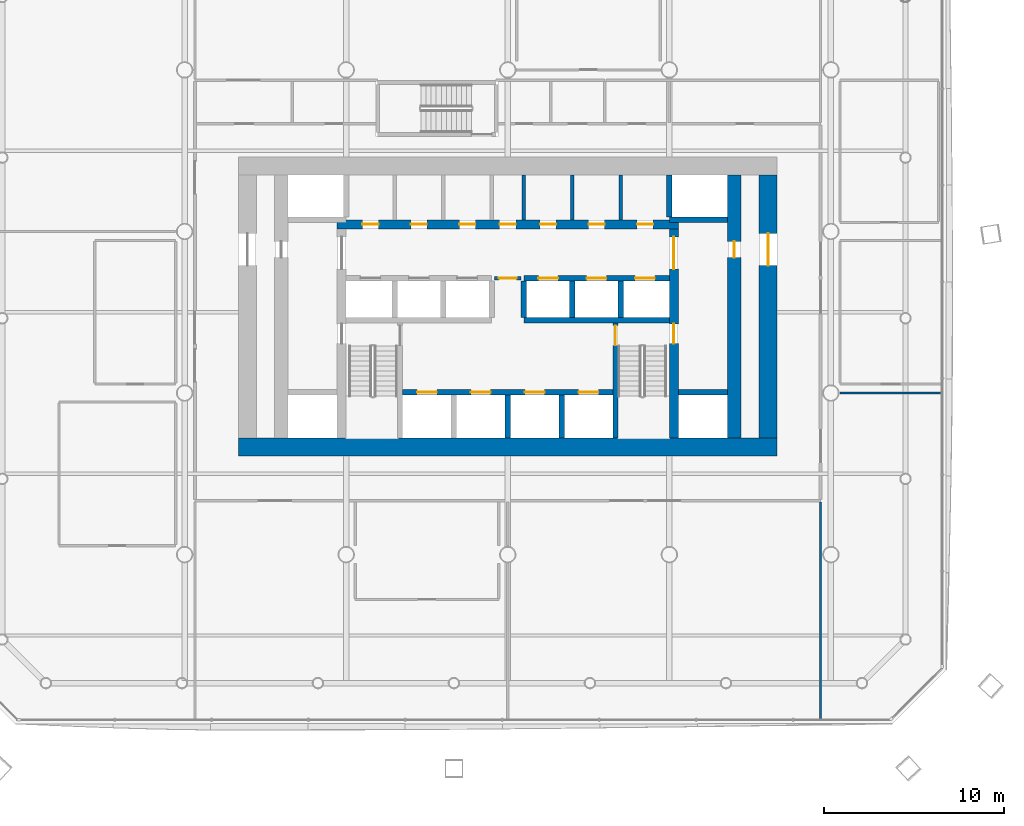
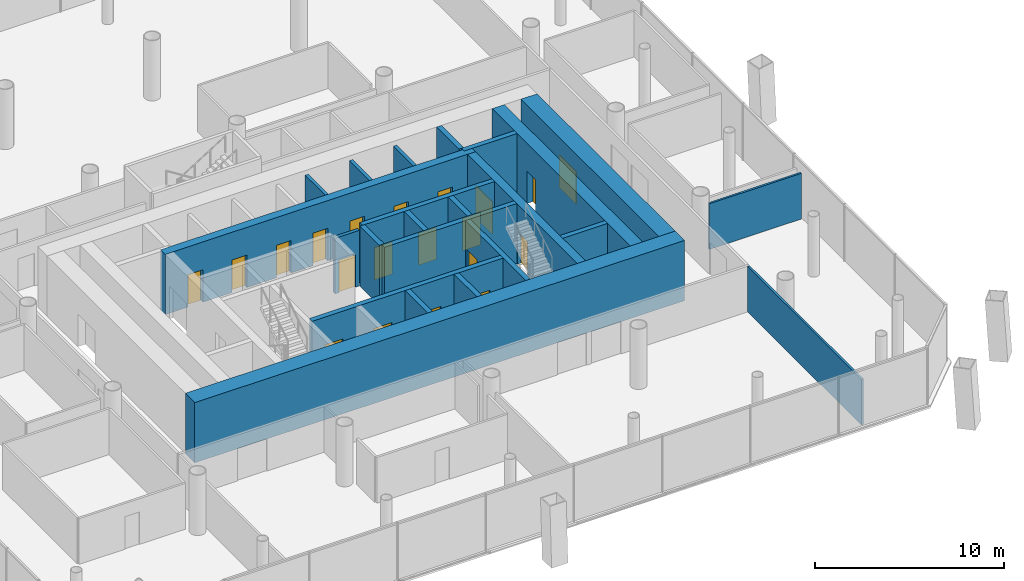
# One storey, part 15 of 22: 23 walls, 20 doors, 20 openings.
"""IFC4 building model written with IfcOpenShell, lengths in metres."""

from ifc_helpers import new_model, si_unit, direction, frame, frame_2d, origin, place, context, subcontext, project, spatial, rectangle, extrude, material, layer, layer_set, type_object, element, fill, save


model = new_model("IFC4")

# Units and contexts
model_context = context("Model", 3, precision=1e-05, world=origin(), true_north=direction((0.0, 1.0)))
body_context = subcontext(model_context, "Body", "Model", "MODEL_VIEW")
ifc_project = project(units=[si_unit("LENGTHUNIT", "METRE"), si_unit("AREAUNIT", "SQUARE_METRE"), si_unit("VOLUMEUNIT", "CUBIC_METRE"), si_unit("PLANEANGLEUNIT", "RADIAN"), si_unit("MASSUNIT", "GRAM", prefix="KILO")], contexts=[model_context])

# Site, building, storey
site_placement = place(None, origin())
site = spatial("IfcSite", under=ifc_project, at=site_placement, CompositionType="ELEMENT")
building_placement = place(site_placement, origin())
building = spatial("IfcBuilding", under=site, at=building_placement, Name="Tskaro Facet Tower", CompositionType="ELEMENT")
storey_placement = place(building_placement, frame((0.0, 0.0, 30.300048828125)))
storey = spatial("IfcBuildingStorey", under=building, at=storey_placement, Name="L06", CompositionType="ELEMENT", Elevation=30.300048828125)

# Wall, openings, doors
ifc_material_1 = material(Name="Concrete C60/75", Category="concrete")
ifc_layer_1 = layer(ifc_material_1, 0.300048828125, Name="Concrete C60/75")
ifc_layer_set_1 = layer_set([ifc_layer_1], Name="Concrete C60/75")
wall_type_1 = type_object("IfcWallType", Name="CORE-SHAFT", PredefinedType="SHEAR", material=ifc_layer_set_1)
wall_1_placement = place(storey_placement, frame((-5.85009765625, -8.949951171875, 0.0), z_axis=(0.0, 0.0, 1.0), x_axis=(1.0, 0.0, 0.0)))
wall_1 = element("IfcWall", 1, at=wall_1_placement, inside=storey, type_object=wall_type_1, Name="Shaft wall W007", PredefinedType="SHEAR", context=body_context, shape_type="SweptSolid", body=[
    extrude(rectangle(XDim=11.7001953125, YDim=0.300048828125, at=frame_2d((5.85009765625, 0.0))), origin(), (0.0, 0.0, 1.0), 3.89990234375),
])
opening_1_placement = place(wall_1_placement, frame((0.800048828125, 0.0, 0.0)))
opening_1 = element("IfcOpeningElement", 2, at=opening_1_placement, cuts=wall_1, Name="Opening LD-FF1", PredefinedType="OPENING", context=body_context, shape_type="SweptSolid", body=[
    extrude(rectangle(XDim=1.10009765625, YDim=2.10009765625, at=frame_2d((0.550048828125, 1.050048828125))), frame((0.0, 0.159912109375, 0.0), z_axis=(0.0, -1.0, 0.0), x_axis=(1.0, 0.0, 0.0)), (0.0, 0.0, 1.0), 0.320068359375),
])
opening_2_placement = place(wall_1_placement, frame((3.800048828125, 0.0, 0.0)))
opening_2 = element("IfcOpeningElement", 3, at=opening_2_placement, cuts=wall_1, Name="Opening LD-FF2", PredefinedType="OPENING", context=body_context, shape_type="SweptSolid", body=[
    extrude(rectangle(XDim=1.10009765625, YDim=2.10009765625, at=frame_2d((0.550048828125, 1.050048828125))), frame((0.0, 0.159912109375, 0.0), z_axis=(0.0, -1.0, 0.0), x_axis=(1.0, 0.0, 0.0)), (0.0, 0.0, 1.0), 0.320068359375),
])
opening_3_placement = place(wall_1_placement, frame((6.800048828125, 0.0, 0.0)))
opening_3 = element("IfcOpeningElement", 4, at=opening_3_placement, cuts=wall_1, Name="Opening LD-SV1", PredefinedType="OPENING", context=body_context, shape_type="SweptSolid", body=[
    extrude(rectangle(XDim=1.10009765625, YDim=2.10009765625, at=frame_2d((0.550048828125, 1.050048828125))), frame((0.0, 0.159912109375, 0.0), z_axis=(0.0, -1.0, 0.0), x_axis=(1.0, 0.0, 0.0)), (0.0, 0.0, 1.0), 0.320068359375),
])
opening_4_placement = place(wall_1_placement, frame((9.800048828125, 0.0, 0.0)))
opening_4 = element("IfcOpeningElement", 5, at=opening_4_placement, cuts=wall_1, Name="Opening LD-SV2", PredefinedType="OPENING", context=body_context, shape_type="SweptSolid", body=[
    extrude(rectangle(XDim=1.10009765625, YDim=2.10009765625, at=frame_2d((0.550048828125, 1.050048828125))), frame((0.0, 0.159912109375, 0.0), z_axis=(0.0, -1.0, 0.0), x_axis=(1.0, 0.0, 0.0)), (0.0, 0.0, 1.0), 0.320068359375),
])
ifc_material_2 = material(Name="Stainless steel", Category="steel")
door_type_1 = type_object("IfcDoorType", Name="D-LANDING", OperationType="NOTDEFINED", PredefinedType="DOOR", material=ifc_material_2)
door_1_placement = place(opening_1_placement, origin())
door_1 = element("IfcDoor", 6, at=door_1_placement, inside=storey, type_object=door_type_1, Name="Landing door FF1", OperationType="DOUBLE_DOOR_SLIDING", OverallHeight=2.10009765625, OverallWidth=1.10009765625, PredefinedType="DOOR", context=body_context, shape_type="SweptSolid", body=[
    extrude(rectangle(XDim=1.10009765625, YDim=2.10009765625, at=frame_2d((0.550048828125, 1.050048828125))), frame((0.0, 0.02490234375, 0.0), z_axis=(0.0, -1.0, 0.0), x_axis=(1.0, 0.0, 0.0)), (0.0, 0.0, 1.0), 0.050048828125),
])
fill(opening_1, door_1)
door_2_placement = place(opening_2_placement, origin())
door_2 = element("IfcDoor", 7, at=door_2_placement, inside=storey, type_object=door_type_1, Name="Landing door FF2", OperationType="DOUBLE_DOOR_SLIDING", OverallHeight=2.10009765625, OverallWidth=1.10009765625, PredefinedType="DOOR", context=body_context, shape_type="SweptSolid", body=[
    extrude(rectangle(XDim=1.10009765625, YDim=2.10009765625, at=frame_2d((0.550048828125, 1.050048828125))), frame((0.0, 0.02490234375, 0.0), z_axis=(0.0, -1.0, 0.0), x_axis=(1.0, 0.0, 0.0)), (0.0, 0.0, 1.0), 0.050048828125),
])
fill(opening_2, door_2)
door_3_placement = place(opening_3_placement, origin())
door_3 = element("IfcDoor", 8, at=door_3_placement, inside=storey, type_object=door_type_1, Name="Landing door SV1", OperationType="DOUBLE_DOOR_SLIDING", OverallHeight=2.10009765625, OverallWidth=1.10009765625, PredefinedType="DOOR", context=body_context, shape_type="SweptSolid", body=[
    extrude(rectangle(XDim=1.10009765625, YDim=2.10009765625, at=frame_2d((0.550048828125, 1.050048828125))), frame((0.0, 0.02490234375, 0.0), z_axis=(0.0, -1.0, 0.0), x_axis=(1.0, 0.0, 0.0)), (0.0, 0.0, 1.0), 0.050048828125),
])
fill(opening_3, door_3)
door_4_placement = place(opening_4_placement, origin())
door_4 = element("IfcDoor", 9, at=door_4_placement, inside=storey, type_object=door_type_1, Name="Landing door SV2", OperationType="DOUBLE_DOOR_SLIDING", OverallHeight=2.10009765625, OverallWidth=1.10009765625, PredefinedType="DOOR", context=body_context, shape_type="SweptSolid", body=[
    extrude(rectangle(XDim=1.10009765625, YDim=2.10009765625, at=frame_2d((0.550048828125, 1.050048828125))), frame((0.0, 0.02490234375, 0.0), z_axis=(0.0, -1.0, 0.0), x_axis=(1.0, 0.0, 0.0)), (0.0, 0.0, 1.0), 0.050048828125),
])
fill(opening_4, door_4)

# Walls
wall_2_placement = place(storey_placement, frame((9.5, -8.949951171875, 0.0), z_axis=(0.0, 0.0, 1.0), x_axis=(1.0, 0.0, 0.0)))
element("IfcWall", 10, at=wall_2_placement, inside=storey, type_object=wall_type_1, Name="Shaft wall W008", PredefinedType="SHEAR", context=body_context, shape_type="SweptSolid", body=[
    extrude(rectangle(XDim=2.75, YDim=0.300048828125, at=frame_2d((1.375, 0.0))), origin(), (0.0, 0.0, 1.0), 3.89990234375),
])
wall_3_placement = place(storey_placement, frame((0.89990234375, -4.949951171875, 0.0), z_axis=(0.0, 0.0, 1.0), x_axis=(1.0, 0.0, 0.0)))
element("IfcWall", 11, at=wall_3_placement, inside=storey, type_object=wall_type_1, Name="Shaft wall W012", PredefinedType="SHEAR", context=body_context, shape_type="SweptSolid", body=[
    extrude(rectangle(XDim=8.10009765625, YDim=0.300048828125, at=frame_2d((4.050048828125, 0.0))), origin(), (0.0, 0.0, 1.0), 3.89990234375),
])

# Wall, openings, doors
wall_4_placement = place(storey_placement, frame((0.89990234375, -2.60009765625, 0.0), z_axis=(0.0, 0.0, 1.0), x_axis=(1.0, 0.0, 0.0)))
wall_4 = element("IfcWall", 12, at=wall_4_placement, inside=storey, type_object=wall_type_1, Name="Shaft wall W015", PredefinedType="SHEAR", context=body_context, shape_type="SweptSolid", body=[
    extrude(rectangle(XDim=8.10009765625, YDim=0.300048828125, at=frame_2d((4.050048828125, 0.0))), origin(), (0.0, 0.0, 1.0), 3.89990234375),
])
opening_5_placement = place(wall_4_placement, frame((0.800048828125, 0.0, 0.0)))
opening_5 = element("IfcOpeningElement", 13, at=opening_5_placement, cuts=wall_4, Name="Opening LD-LR4", PredefinedType="OPENING", context=body_context, shape_type="SweptSolid", body=[
    extrude(rectangle(XDim=1.10009765625, YDim=2.10009765625, at=frame_2d((0.550048828125, 1.050048828125))), frame((0.0, 0.159912109375, 0.0), z_axis=(0.0, -1.0, 0.0), x_axis=(1.0, 0.0, 0.0)), (0.0, 0.0, 1.0), 0.320068359375),
])
opening_6_placement = place(wall_4_placement, frame((3.5, 0.0, 0.0)))
opening_6 = element("IfcOpeningElement", 14, at=opening_6_placement, cuts=wall_4, Name="Opening LD-LR5", PredefinedType="OPENING", context=body_context, shape_type="SweptSolid", body=[
    extrude(rectangle(XDim=1.10009765625, YDim=2.10009765625, at=frame_2d((0.550048828125, 1.050048828125))), frame((0.0, 0.159912109375, 0.0), z_axis=(0.0, -1.0, 0.0), x_axis=(1.0, 0.0, 0.0)), (0.0, 0.0, 1.0), 0.320068359375),
])
opening_7_placement = place(wall_4_placement, frame((6.199951171875, 0.0, 0.0)))
opening_7 = element("IfcOpeningElement", 15, at=opening_7_placement, cuts=wall_4, Name="Opening LD-LR6", PredefinedType="OPENING", context=body_context, shape_type="SweptSolid", body=[
    extrude(rectangle(XDim=1.10009765625, YDim=2.10009765625, at=frame_2d((0.550048828125, 1.050048828125))), frame((0.0, 0.159912109375, 0.0), z_axis=(0.0, -1.0, 0.0), x_axis=(1.0, 0.0, 0.0)), (0.0, 0.0, 1.0), 0.320068359375),
])
door_5_placement = place(opening_5_placement, origin())
door_5 = element("IfcDoor", 16, at=door_5_placement, inside=storey, type_object=door_type_1, Name="Landing door LR4", OperationType="DOUBLE_DOOR_SLIDING", OverallHeight=2.10009765625, OverallWidth=1.10009765625, PredefinedType="DOOR", context=body_context, shape_type="SweptSolid", body=[
    extrude(rectangle(XDim=1.10009765625, YDim=2.10009765625, at=frame_2d((0.550048828125, 1.050048828125))), frame((0.0, 0.02490234375, 0.0), z_axis=(0.0, -1.0, 0.0), x_axis=(1.0, 0.0, 0.0)), (0.0, 0.0, 1.0), 0.050048828125),
])
fill(opening_5, door_5)
door_6_placement = place(opening_6_placement, origin())
door_6 = element("IfcDoor", 17, at=door_6_placement, inside=storey, type_object=door_type_1, Name="Landing door LR5", OperationType="DOUBLE_DOOR_SLIDING", OverallHeight=2.10009765625, OverallWidth=1.10009765625, PredefinedType="DOOR", context=body_context, shape_type="SweptSolid", body=[
    extrude(rectangle(XDim=1.10009765625, YDim=2.10009765625, at=frame_2d((0.550048828125, 1.050048828125))), frame((0.0, 0.02490234375, 0.0), z_axis=(0.0, -1.0, 0.0), x_axis=(1.0, 0.0, 0.0)), (0.0, 0.0, 1.0), 0.050048828125),
])
fill(opening_6, door_6)
door_7_placement = place(opening_7_placement, origin())
door_7 = element("IfcDoor", 18, at=door_7_placement, inside=storey, type_object=door_type_1, Name="Landing door LR6", OperationType="DOUBLE_DOOR_SLIDING", OverallHeight=2.10009765625, OverallWidth=1.10009765625, PredefinedType="DOOR", context=body_context, shape_type="SweptSolid", body=[
    extrude(rectangle(XDim=1.10009765625, YDim=2.10009765625, at=frame_2d((0.550048828125, 1.050048828125))), frame((0.0, 0.02490234375, 0.0), z_axis=(0.0, -1.0, 0.0), x_axis=(1.0, 0.0, 0.0)), (0.0, 0.0, 1.0), 0.050048828125),
])
fill(opening_7, door_7)

# Walls
wall_5_placement = place(storey_placement, frame((12.25, 0.64990234375, 0.0), z_axis=(0.0, 0.0, 1.0), x_axis=(-1.0, 0.0, 0.0)))
element("IfcWall", 19, at=wall_5_placement, inside=storey, type_object=wall_type_1, Name="Shaft wall W021", PredefinedType="SHEAR", context=body_context, shape_type="SweptSolid", body=[
    extrude(rectangle(XDim=3.25, YDim=0.300048828125, at=frame_2d((1.625, 0.0))), origin(), (0.0, 0.0, 1.0), 3.89990234375),
])
wall_6_placement = place(storey_placement, frame((0.0, -11.5, 0.0), z_axis=(0.0, 0.0, 1.0), x_axis=(0.0, 1.0, 0.0)))
element("IfcWall", 20, at=wall_6_placement, inside=storey, type_object=wall_type_1, Name="Shaft wall W057", PredefinedType="SHEAR", context=body_context, shape_type="SweptSolid", body=[
    extrude(rectangle(XDim=2.39990234375, YDim=0.300048828125, at=frame_2d((1.199951171875, 0.0))), origin(), (0.0, 0.0, 1.0), 3.89990234375),
])
wall_7_placement = place(storey_placement, frame((0.89990234375, -4.800048828125, 0.0), z_axis=(0.0, 0.0, 1.0), x_axis=(0.0, 1.0, 0.0)))
element("IfcWall", 21, at=wall_7_placement, inside=storey, type_object=wall_type_1, Name="Shaft wall W059", PredefinedType="SHEAR", context=body_context, shape_type="SweptSolid", body=[
    extrude(rectangle(XDim=2.050048828125, YDim=0.300048828125, at=frame_2d((1.02490234375, 0.0))), origin(), (0.0, 0.0, 1.0), 3.89990234375),
])
wall_8_placement = place(storey_placement, frame((3.0, -11.5, 0.0), z_axis=(0.0, 0.0, 1.0), x_axis=(0.0, 1.0, 0.0)))
element("IfcWall", 22, at=wall_8_placement, inside=storey, type_object=wall_type_1, Name="Shaft wall W062", PredefinedType="SHEAR", context=body_context, shape_type="SweptSolid", body=[
    extrude(rectangle(XDim=2.39990234375, YDim=0.300048828125, at=frame_2d((1.199951171875, 0.0))), origin(), (0.0, 0.0, 1.0), 3.89990234375),
])
wall_9_placement = place(storey_placement, frame((3.60009765625, -4.800048828125, 0.0), z_axis=(0.0, 0.0, 1.0), x_axis=(0.0, 1.0, 0.0)))
element("IfcWall", 23, at=wall_9_placement, inside=storey, type_object=wall_type_1, Name="Shaft wall W063", PredefinedType="SHEAR", context=body_context, shape_type="SweptSolid", body=[
    extrude(rectangle(XDim=2.050048828125, YDim=0.300048828125, at=frame_2d((1.02490234375, 0.0))), origin(), (0.0, 0.0, 1.0), 3.89990234375),
])

# Wall, opening, door
wall_10_placement = place(storey_placement, frame((6.0, -5.10009765625, 0.0), z_axis=(0.0, 0.0, 1.0), x_axis=(0.0, -1.0, 0.0)))
wall_10 = element("IfcWall", 24, at=wall_10_placement, inside=storey, type_object=wall_type_1, Name="Shaft wall W066", PredefinedType="SHEAR", context=body_context, shape_type="SweptSolid", body=[
    extrude(rectangle(XDim=6.39990234375, YDim=0.300048828125, at=frame_2d((3.199951171875, 0.0))), origin(), (0.0, 0.0, 1.0), 3.89990234375),
])
opening_8_placement = place(wall_10_placement, frame((0.14990234375, 0.0, 0.0)))
opening_8 = element("IfcOpeningElement", 25, at=opening_8_placement, cuts=wall_10, Name="Opening ST-2-D1", PredefinedType="OPENING", context=body_context, shape_type="SweptSolid", body=[
    extrude(rectangle(XDim=1.10009765625, YDim=2.10009765625, at=frame_2d((0.550048828125, 1.050048828125))), frame((0.0, 0.159912109375, 0.0), z_axis=(0.0, -1.0, 0.0), x_axis=(1.0, 0.0, 0.0)), (0.0, 0.0, 1.0), 0.320068359375),
])
ifc_material_3 = material(Name="Steel", Category="steel")
door_type_2 = type_object("IfcDoorType", Name="D-STAIR", OperationType="NOTDEFINED", PredefinedType="DOOR", material=ifc_material_3)
door_8_placement = place(opening_8_placement, origin())
door_8 = element("IfcDoor", 26, at=door_8_placement, inside=storey, type_object=door_type_2, Name="Stair door 2", OperationType="SINGLE_SWING_RIGHT", OverallHeight=2.10009765625, OverallWidth=1.10009765625, PredefinedType="DOOR", context=body_context, shape_type="SweptSolid", body=[
    extrude(rectangle(XDim=1.10009765625, YDim=2.10009765625, at=frame_2d((0.550048828125, 1.050048828125))), frame((0.0, 0.02490234375, 0.0), z_axis=(0.0, -1.0, 0.0), x_axis=(1.0, 0.0, 0.0)), (0.0, 0.0, 1.0), 0.050048828125),
])
fill(opening_8, door_8)

# Walls
wall_11_placement = place(storey_placement, frame((6.300048828125, -4.800048828125, 0.0), z_axis=(0.0, 0.0, 1.0), x_axis=(0.0, 1.0, 0.0)))
element("IfcWall", 27, at=wall_11_placement, inside=storey, type_object=wall_type_1, Name="Shaft wall W067", PredefinedType="SHEAR", context=body_context, shape_type="SweptSolid", body=[
    extrude(rectangle(XDim=2.050048828125, YDim=0.300048828125, at=frame_2d((1.02490234375, 0.0))), origin(), (0.0, 0.0, 1.0), 3.89990234375),
])
wall_12_placement = place(storey_placement, frame((9.0, 0.800048828125, 0.0), z_axis=(0.0, 0.0, 1.0), x_axis=(0.0, 1.0, 0.0)))
element("IfcWall", 28, at=wall_12_placement, inside=storey, type_object=wall_type_1, Name="Shaft wall W070", PredefinedType="SHEAR", context=body_context, shape_type="SweptSolid", body=[
    extrude(rectangle(XDim=2.349853515625, YDim=0.300048828125, at=frame_2d((1.1748046875, 0.0))), origin(), (0.0, 0.0, 1.0), 3.89990234375),
])

# Wall, opening, door
ifc_material_4 = material(Name="Concrete C20/25", Category="concrete")
ifc_layer_2 = layer(ifc_material_4, 0.199951171875, Name="Concrete C20/25")
ifc_layer_set_2 = layer_set([ifc_layer_2], Name="Concrete C20/25")
wall_type_2 = type_object("IfcWallType", Name="CORE-WALL", PredefinedType="SOLIDWALL", material=ifc_layer_set_2)
wall_13_placement = place(storey_placement, frame((0.75, -2.60009765625, 0.0), z_axis=(0.0, 0.0, 1.0), x_axis=(-1.0, 0.0, 0.0)))
wall_13 = element("IfcWall", 29, at=wall_13_placement, inside=storey, type_object=wall_type_2, Name="Core room wall W014", PredefinedType="SOLIDWALL", context=body_context, shape_type="SweptSolid", body=[
    extrude(rectangle(XDim=1.5, YDim=0.199951171875, at=frame_2d((0.75, 0.0))), origin(), (0.0, 0.0, 1.0), 3.599853515625),
])
opening_9_placement = place(wall_13_placement, frame((0.25, 0.0, 0.0)))
opening_9 = element("IfcOpeningElement", 30, at=opening_9_placement, cuts=wall_13, Name="Opening FL-D1", PredefinedType="OPENING", context=body_context, shape_type="SweptSolid", body=[
    extrude(rectangle(XDim=1.0, YDim=2.10009765625, at=frame_2d((0.5, 1.050048828125))), frame((0.0, 0.10986328125, 0.0), z_axis=(0.0, -1.0, 0.0), x_axis=(1.0, 0.0, 0.0)), (0.0, 0.0, 1.0), 0.219970703125),
])
door_type_3 = type_object("IfcDoorType", Name="D-LOBBY", OperationType="NOTDEFINED", PredefinedType="DOOR", material=ifc_material_3)
door_9_placement = place(opening_9_placement, origin())
door_9 = element("IfcDoor", 31, at=door_9_placement, inside=storey, type_object=door_type_3, Name="Lobby door FL", OperationType="SINGLE_SWING_RIGHT", OverallHeight=2.10009765625, OverallWidth=1.0, PredefinedType="DOOR", context=body_context, shape_type="SweptSolid", body=[
    extrude(rectangle(XDim=1.0, YDim=2.10009765625, at=frame_2d((0.5, 1.050048828125))), frame((0.0, 0.02490234375, 0.0), z_axis=(0.0, -1.0, 0.0), x_axis=(1.0, 0.0, 0.0)), (0.0, 0.0, 1.0), 0.050048828125),
])
fill(opening_9, door_9)

# Walls
for number, where, z_axis, x_axis, name in (
    (32, (0.89990234375, 0.64990234375, 0.0), (0.0, 0.0, 1.0), (0.0, 1.0, 0.0), "Core room wall W060"),
    (33, (3.60009765625, 0.64990234375, 0.0), (0.0, 0.0, 1.0), (0.0, 1.0, 0.0), "Core room wall W064"),
    (34, (6.300048828125, 0.64990234375, 0.0), (0.0, 0.0, 1.0), (0.0, 1.0, 0.0), "Core room wall W068"),
):
    element("IfcWall", number, at=place(storey_placement, frame(where, z_axis=z_axis, x_axis=x_axis)), inside=storey, type_object=wall_type_2, Name=name, PredefinedType="SOLIDWALL", context=body_context, shape_type="SweptSolid", body=[
        extrude(rectangle(XDim=2.5, YDim=0.199951171875, at=frame_2d((1.25, 0.0))), origin(), (0.0, 0.0, 1.0), 3.599853515625),
    ])
ifc_layer_3 = layer(ifc_material_1, 1.0, Name="Concrete C60/75")
ifc_layer_set_3 = layer_set([ifc_layer_3], Name="Concrete C60/75")
wall_type_3 = type_object("IfcWallType", Name="Core wall 1000", PredefinedType="SHEAR", material=ifc_layer_set_3)
wall_14_placement = place(storey_placement, frame((-15.0, -12.0, 0.0), z_axis=(0.0, 0.0, 1.0), x_axis=(1.0, 0.0, 0.0)))
element("IfcWall", 35, at=wall_14_placement, inside=storey, type_object=wall_type_3, Name="Core wall CW-Z1S", PredefinedType="SHEAR", context=body_context, shape_type="SweptSolid", body=[
    extrude(rectangle(XDim=30.0, YDim=1.0, at=frame_2d((15.0, 0.0))), origin(), (0.0, 0.0, 1.0), 3.89990234375),
])

# Wall, opening, door
wall_15_placement = place(storey_placement, frame((14.5, -11.5, 0.0), z_axis=(0.0, 0.0, 1.0), x_axis=(0.0, 1.0, 0.0)))
wall_15 = element("IfcWall", 36, at=wall_15_placement, inside=storey, type_object=wall_type_3, Name="Core wall CW-Z1E", PredefinedType="SHEAR", context=body_context, shape_type="SweptSolid", body=[
    extrude(rectangle(XDim=14.64990234375, YDim=1.0, at=frame_2d((7.324951171875, 0.0))), origin(), (0.0, 0.0, 1.0), 3.89990234375),
])
opening_10_placement = place(wall_15_placement, frame((9.60009765625, 0.0, 0.0)))
opening_10 = element("IfcOpeningElement", 37, at=opening_10_placement, cuts=wall_15, Name="Opening T1-D20", PredefinedType="OPENING", context=body_context, shape_type="SweptSolid", body=[
    extrude(rectangle(XDim=1.800048828125, YDim=2.10009765625, at=frame_2d((0.89990234375, 1.050048828125))), frame((0.0, 0.510009765625, 0.0), z_axis=(0.0, -1.0, 0.0), x_axis=(1.0, 0.0, 0.0)), (0.0, 0.0, 1.0), 1.02001953125),
])
door_type_4 = type_object("IfcDoorType", Name="D-CORE-PAIR", OperationType="NOTDEFINED", PredefinedType="DOOR", material=ifc_material_3)
door_10_placement = place(opening_10_placement, origin())
door_10 = element("IfcDoor", 38, at=door_10_placement, inside=storey, type_object=door_type_4, Name="Door T1-D20", OperationType="DOUBLE_DOOR_SINGLE_SWING", OverallHeight=2.10009765625, OverallWidth=1.800048828125, PredefinedType="DOOR", context=body_context, shape_type="SweptSolid", body=[
    extrude(rectangle(XDim=1.800048828125, YDim=2.10009765625, at=frame_2d((0.89990234375, 1.050048828125))), frame((0.0, 0.02490234375, 0.0), z_axis=(0.0, -1.0, 0.0), x_axis=(1.0, 0.0, 0.0)), (0.0, 0.0, 1.0), 0.050048828125),
])
fill(opening_10, door_10)

# Wall, openings, doors
ifc_material_5 = material(Name="Concrete C40/50", Category="concrete")
ifc_layer_4 = layer(ifc_material_5, 0.5, Name="Concrete C40/50")
ifc_layer_set_4 = layer_set([ifc_layer_4], Name="Concrete C40/50")
wall_type_4 = type_object("IfcWallType", Name="Core wall 500", PredefinedType="SHEAR", material=ifc_layer_set_4)
wall_16_placement = place(storey_placement, frame((-9.5, 0.39990234375, 0.0), z_axis=(0.0, 0.0, 1.0), x_axis=(1.0, 0.0, 0.0)))
wall_16 = element("IfcWall", 39, at=wall_16_placement, inside=storey, type_object=wall_type_4, Name="Core wall CW-Z3N", PredefinedType="SHEAR", context=body_context, shape_type="SweptSolid", body=[
    extrude(rectangle(XDim=19.0, YDim=0.5, at=frame_2d((9.5, 0.0))), origin(), (0.0, 0.0, 1.0), 3.89990234375),
])
opening_11_placement = place(wall_16_placement, frame((1.39990234375, 0.0, 0.0)))
opening_11 = element("IfcOpeningElement", 40, at=opening_11_placement, cuts=wall_16, Name="Opening T1-D21", PredefinedType="OPENING", context=body_context, shape_type="SweptSolid", body=[
    extrude(rectangle(XDim=0.89990234375, YDim=2.10009765625, at=frame_2d((0.449951171875, 1.050048828125))), frame((0.0, 0.260009765625, 0.0), z_axis=(0.0, -1.0, 0.0), x_axis=(1.0, 0.0, 0.0)), (0.0, 0.0, 1.0), 0.52001953125),
])
opening_12_placement = place(wall_16_placement, frame((4.10009765625, 0.0, 0.0)))
opening_12 = element("IfcOpeningElement", 41, at=opening_12_placement, cuts=wall_16, Name="Opening T1-D22", PredefinedType="OPENING", context=body_context, shape_type="SweptSolid", body=[
    extrude(rectangle(XDim=0.89990234375, YDim=2.10009765625, at=frame_2d((0.449951171875, 1.050048828125))), frame((0.0, 0.260009765625, 0.0), z_axis=(0.0, -1.0, 0.0), x_axis=(1.0, 0.0, 0.0)), (0.0, 0.0, 1.0), 0.52001953125),
])
opening_13_placement = place(wall_16_placement, frame((6.800048828125, 0.0, 0.0)))
opening_13 = element("IfcOpeningElement", 42, at=opening_13_placement, cuts=wall_16, Name="Opening T1-D23", PredefinedType="OPENING", context=body_context, shape_type="SweptSolid", body=[
    extrude(rectangle(XDim=0.89990234375, YDim=2.10009765625, at=frame_2d((0.449951171875, 1.050048828125))), frame((0.0, 0.260009765625, 0.0), z_axis=(0.0, -1.0, 0.0), x_axis=(1.0, 0.0, 0.0)), (0.0, 0.0, 1.0), 0.52001953125),
])
opening_14_placement = place(wall_16_placement, frame((11.300048828125, 0.0, 0.0)))
opening_14 = element("IfcOpeningElement", 43, at=opening_14_placement, cuts=wall_16, Name="Opening T1-D25", PredefinedType="OPENING", context=body_context, shape_type="SweptSolid", body=[
    extrude(rectangle(XDim=0.89990234375, YDim=2.10009765625, at=frame_2d((0.449951171875, 1.050048828125))), frame((0.0, 0.260009765625, 0.0), z_axis=(0.0, -1.0, 0.0), x_axis=(1.0, 0.0, 0.0)), (0.0, 0.0, 1.0), 0.52001953125),
])
opening_15_placement = place(wall_16_placement, frame((14.0, 0.0, 0.0)))
opening_15 = element("IfcOpeningElement", 44, at=opening_15_placement, cuts=wall_16, Name="Opening T1-D26", PredefinedType="OPENING", context=body_context, shape_type="SweptSolid", body=[
    extrude(rectangle(XDim=0.89990234375, YDim=2.10009765625, at=frame_2d((0.449951171875, 1.050048828125))), frame((0.0, 0.260009765625, 0.0), z_axis=(0.0, -1.0, 0.0), x_axis=(1.0, 0.0, 0.0)), (0.0, 0.0, 1.0), 0.52001953125),
])
opening_16_placement = place(wall_16_placement, frame((16.699951171875, 0.0, 0.0)))
opening_16 = element("IfcOpeningElement", 45, at=opening_16_placement, cuts=wall_16, Name="Opening T1-D27", PredefinedType="OPENING", context=body_context, shape_type="SweptSolid", body=[
    extrude(rectangle(XDim=0.89990234375, YDim=2.10009765625, at=frame_2d((0.449951171875, 1.050048828125))), frame((0.0, 0.260009765625, 0.0), z_axis=(0.0, -1.0, 0.0), x_axis=(1.0, 0.0, 0.0)), (0.0, 0.0, 1.0), 0.52001953125),
])
opening_17_placement = place(wall_16_placement, frame((9.050048828125, 0.0, 0.0)))
opening_17 = element("IfcOpeningElement", 46, at=opening_17_placement, cuts=wall_16, Name="Opening T1-D24", PredefinedType="OPENING", context=body_context, shape_type="SweptSolid", body=[
    extrude(rectangle(XDim=0.89990234375, YDim=2.10009765625, at=frame_2d((0.449951171875, 1.050048828125))), frame((0.0, 0.260009765625, 0.0), z_axis=(0.0, -1.0, 0.0), x_axis=(1.0, 0.0, 0.0)), (0.0, 0.0, 1.0), 0.52001953125),
])
door_type_5 = type_object("IfcDoorType", Name="D-RISER", OperationType="NOTDEFINED", PredefinedType="DOOR", material=ifc_material_3)
door_11_placement = place(opening_17_placement, origin())
door_11 = element("IfcDoor", 47, at=door_11_placement, inside=storey, type_object=door_type_5, Name="Door T1-D24", OperationType="SINGLE_SWING_LEFT", OverallHeight=2.10009765625, OverallWidth=0.89990234375, PredefinedType="DOOR", context=body_context, shape_type="SweptSolid", body=[
    extrude(rectangle(XDim=0.89990234375, YDim=2.10009765625, at=frame_2d((0.449951171875, 1.050048828125))), frame((0.0, 0.02490234375, 0.0), z_axis=(0.0, -1.0, 0.0), x_axis=(1.0, 0.0, 0.0)), (0.0, 0.0, 1.0), 0.050048828125),
])
fill(opening_17, door_11)
ifc_material_6 = material(Name="Timber", Category="wood")
door_type_6 = type_object("IfcDoorType", Name="D-ROOM", OperationType="NOTDEFINED", PredefinedType="DOOR", material=ifc_material_6)
door_12_placement = place(opening_11_placement, origin())
door_12 = element("IfcDoor", 48, at=door_12_placement, inside=storey, type_object=door_type_6, Name="Door T1-D21", OperationType="SINGLE_SWING_LEFT", OverallHeight=2.10009765625, OverallWidth=0.89990234375, PredefinedType="DOOR", context=body_context, shape_type="SweptSolid", body=[
    extrude(rectangle(XDim=0.89990234375, YDim=2.10009765625, at=frame_2d((0.449951171875, 1.050048828125))), frame((0.0, 0.02490234375, 0.0), z_axis=(0.0, -1.0, 0.0), x_axis=(1.0, 0.0, 0.0)), (0.0, 0.0, 1.0), 0.050048828125),
])
fill(opening_11, door_12)
door_13_placement = place(opening_12_placement, origin())
door_13 = element("IfcDoor", 49, at=door_13_placement, inside=storey, type_object=door_type_6, Name="Door T1-D22", OperationType="SINGLE_SWING_LEFT", OverallHeight=2.10009765625, OverallWidth=0.89990234375, PredefinedType="DOOR", context=body_context, shape_type="SweptSolid", body=[
    extrude(rectangle(XDim=0.89990234375, YDim=2.10009765625, at=frame_2d((0.449951171875, 1.050048828125))), frame((0.0, 0.02490234375, 0.0), z_axis=(0.0, -1.0, 0.0), x_axis=(1.0, 0.0, 0.0)), (0.0, 0.0, 1.0), 0.050048828125),
])
fill(opening_12, door_13)
door_14_placement = place(opening_13_placement, origin())
door_14 = element("IfcDoor", 50, at=door_14_placement, inside=storey, type_object=door_type_6, Name="Door T1-D23", OperationType="SINGLE_SWING_LEFT", OverallHeight=2.10009765625, OverallWidth=0.89990234375, PredefinedType="DOOR", context=body_context, shape_type="SweptSolid", body=[
    extrude(rectangle(XDim=0.89990234375, YDim=2.10009765625, at=frame_2d((0.449951171875, 1.050048828125))), frame((0.0, 0.02490234375, 0.0), z_axis=(0.0, -1.0, 0.0), x_axis=(1.0, 0.0, 0.0)), (0.0, 0.0, 1.0), 0.050048828125),
])
fill(opening_13, door_14)
door_15_placement = place(opening_14_placement, origin())
door_15 = element("IfcDoor", 51, at=door_15_placement, inside=storey, type_object=door_type_6, Name="Door T1-D25", OperationType="SINGLE_SWING_LEFT", OverallHeight=2.10009765625, OverallWidth=0.89990234375, PredefinedType="DOOR", context=body_context, shape_type="SweptSolid", body=[
    extrude(rectangle(XDim=0.89990234375, YDim=2.10009765625, at=frame_2d((0.449951171875, 1.050048828125))), frame((0.0, 0.02490234375, 0.0), z_axis=(0.0, -1.0, 0.0), x_axis=(1.0, 0.0, 0.0)), (0.0, 0.0, 1.0), 0.050048828125),
])
fill(opening_14, door_15)
door_16_placement = place(opening_15_placement, origin())
door_16 = element("IfcDoor", 52, at=door_16_placement, inside=storey, type_object=door_type_6, Name="Door T1-D26", OperationType="SINGLE_SWING_LEFT", OverallHeight=2.10009765625, OverallWidth=0.89990234375, PredefinedType="DOOR", context=body_context, shape_type="SweptSolid", body=[
    extrude(rectangle(XDim=0.89990234375, YDim=2.10009765625, at=frame_2d((0.449951171875, 1.050048828125))), frame((0.0, 0.02490234375, 0.0), z_axis=(0.0, -1.0, 0.0), x_axis=(1.0, 0.0, 0.0)), (0.0, 0.0, 1.0), 0.050048828125),
])
fill(opening_15, door_16)
door_17_placement = place(opening_16_placement, origin())
door_17 = element("IfcDoor", 53, at=door_17_placement, inside=storey, type_object=door_type_6, Name="Door T1-D27", OperationType="SINGLE_SWING_LEFT", OverallHeight=2.10009765625, OverallWidth=0.89990234375, PredefinedType="DOOR", context=body_context, shape_type="SweptSolid", body=[
    extrude(rectangle(XDim=0.89990234375, YDim=2.10009765625, at=frame_2d((0.449951171875, 1.050048828125))), frame((0.0, 0.02490234375, 0.0), z_axis=(0.0, -1.0, 0.0), x_axis=(1.0, 0.0, 0.0)), (0.0, 0.0, 1.0), 0.050048828125),
])
fill(opening_16, door_17)

wall_17_placement = place(storey_placement, frame((9.25, -11.5, 0.0), z_axis=(0.0, 0.0, 1.0), x_axis=(0.0, 1.0, 0.0)))
wall_17 = element("IfcWall", 54, at=wall_17_placement, inside=storey, type_object=wall_type_4, Name="Core wall CW-Z3E", PredefinedType="SHEAR", context=body_context, shape_type="SweptSolid", body=[
    extrude(rectangle(XDim=11.64990234375, YDim=0.5, at=frame_2d((5.824951171875, 0.0))), origin(), (0.0, 0.0, 1.0), 3.89990234375),
])
opening_18_placement = place(wall_17_placement, frame((9.39990234375, 0.0, 0.0)))
opening_18 = element("IfcOpeningElement", 55, at=opening_18_placement, cuts=wall_17, Name="Opening T1-D16", PredefinedType="OPENING", context=body_context, shape_type="SweptSolid", body=[
    extrude(rectangle(XDim=1.800048828125, YDim=2.10009765625, at=frame_2d((0.89990234375, 1.050048828125))), frame((0.0, 0.260009765625, 0.0), z_axis=(0.0, -1.0, 0.0), x_axis=(1.0, 0.0, 0.0)), (0.0, 0.0, 1.0), 0.52001953125),
])
opening_19_placement = place(wall_17_placement, frame((5.25, 0.0, 0.0)))
opening_19 = element("IfcOpeningElement", 56, at=opening_19_placement, cuts=wall_17, Name="Opening ST-2-D2", PredefinedType="OPENING", context=body_context, shape_type="SweptSolid", body=[
    extrude(rectangle(XDim=1.10009765625, YDim=2.10009765625, at=frame_2d((0.550048828125, 1.050048828125))), frame((0.0, 0.260009765625, 0.0), z_axis=(0.0, -1.0, 0.0), x_axis=(1.0, 0.0, 0.0)), (0.0, 0.0, 1.0), 0.52001953125),
])
door_18_placement = place(opening_18_placement, origin())
door_18 = element("IfcDoor", 57, at=door_18_placement, inside=storey, type_object=door_type_4, Name="Door T1-D16", OperationType="DOUBLE_DOOR_SINGLE_SWING", OverallHeight=2.10009765625, OverallWidth=1.800048828125, PredefinedType="DOOR", context=body_context, shape_type="SweptSolid", body=[
    extrude(rectangle(XDim=1.800048828125, YDim=2.10009765625, at=frame_2d((0.89990234375, 1.050048828125))), frame((0.0, 0.02490234375, 0.0), z_axis=(0.0, -1.0, 0.0), x_axis=(1.0, 0.0, 0.0)), (0.0, 0.0, 1.0), 0.050048828125),
])
fill(opening_18, door_18)
door_19_placement = place(opening_19_placement, origin())
door_19 = element("IfcDoor", 58, at=door_19_placement, inside=storey, type_object=door_type_2, Name="Stair door 2 east", OperationType="SINGLE_SWING_LEFT", OverallHeight=2.10009765625, OverallWidth=1.10009765625, PredefinedType="DOOR", context=body_context, shape_type="SweptSolid", body=[
    extrude(rectangle(XDim=1.10009765625, YDim=2.10009765625, at=frame_2d((0.550048828125, 1.050048828125))), frame((0.0, 0.02490234375, 0.0), z_axis=(0.0, -1.0, 0.0), x_axis=(1.0, 0.0, 0.0)), (0.0, 0.0, 1.0), 0.050048828125),
])
fill(opening_19, door_19)

# Wall, opening, door
ifc_material_7 = material(Name="Concrete C50/60", Category="concrete")
ifc_layer_5 = layer(ifc_material_7, 0.75, Name="Concrete C50/60")
ifc_layer_set_5 = layer_set([ifc_layer_5], Name="Concrete C50/60")
wall_type_5 = type_object("IfcWallType", Name="Core wall 750", PredefinedType="SHEAR", material=ifc_layer_set_5)
wall_18_placement = place(storey_placement, frame((12.625, -11.5, 0.0), z_axis=(0.0, 0.0, 1.0), x_axis=(0.0, 1.0, 0.0)))
wall_18 = element("IfcWall", 59, at=wall_18_placement, inside=storey, type_object=wall_type_5, Name="Core wall CW-Z2E", PredefinedType="SHEAR", context=body_context, shape_type="SweptSolid", body=[
    extrude(rectangle(XDim=14.64990234375, YDim=0.75, at=frame_2d((7.324951171875, 0.0))), origin(), (0.0, 0.0, 1.0), 3.89990234375),
])
opening_20_placement = place(wall_18_placement, frame((10.050048828125, 0.0, 0.0)))
opening_20 = element("IfcOpeningElement", 60, at=opening_20_placement, cuts=wall_18, Name="Opening T1-D19", PredefinedType="OPENING", context=body_context, shape_type="SweptSolid", body=[
    extrude(rectangle(XDim=0.89990234375, YDim=2.10009765625, at=frame_2d((0.449951171875, 1.050048828125))), frame((0.0, 0.385009765625, 0.0), z_axis=(0.0, -1.0, 0.0), x_axis=(1.0, 0.0, 0.0)), (0.0, 0.0, 1.0), 0.77001953125),
])
door_20_placement = place(opening_20_placement, origin())
door_20 = element("IfcDoor", 61, at=door_20_placement, inside=storey, type_object=door_type_6, Name="Door T1-D19", OperationType="SINGLE_SWING_LEFT", OverallHeight=2.10009765625, OverallWidth=0.89990234375, PredefinedType="DOOR", context=body_context, shape_type="SweptSolid", body=[
    extrude(rectangle(XDim=0.89990234375, YDim=2.10009765625, at=frame_2d((0.449951171875, 1.050048828125))), frame((0.0, 0.02490234375, 0.0), z_axis=(0.0, -1.0, 0.0), x_axis=(1.0, 0.0, 0.0)), (0.0, 0.0, 1.0), 0.050048828125),
])
fill(opening_20, door_20)

# Walls
ifc_material_8 = material(Name="Gypsum board on steel studs", Category="steel")
ifc_layer_6 = layer(ifc_material_8, 0.125, Name="Gypsum board on steel studs")
ifc_layer_set_6 = layer_set([ifc_layer_6], Name="Gypsum board on steel studs")
wall_type_6 = type_object("IfcWallType", Name="PART", PredefinedType="PARTITIONING", material=ifc_layer_set_6)
wall_19_placement = place(storey_placement, frame((18.5, -9.0, 0.0), z_axis=(0.0, 0.0, 1.0), x_axis=(1.0, 0.0, 0.0)))
element("IfcWall", 62, at=wall_19_placement, inside=storey, type_object=wall_type_6, Name="Partition W005", PredefinedType="PARTITIONING", context=body_context, shape_type="SweptSolid", body=[
    extrude(rectangle(XDim=5.652099609375, YDim=0.125, at=frame_2d((2.826171875, 0.0))), origin(), (0.0, 0.0, 1.0), 2.9599609375),
])
wall_20_placement = place(storey_placement, frame((17.425048828125, -27.152099609375, 0.0), z_axis=(0.0, 0.0, 1.0), x_axis=(0.0, 1.0, 0.0)))
element("IfcWall", 63, at=wall_20_placement, inside=storey, type_object=wall_type_6, Name="Partition W072", PredefinedType="PARTITIONING", context=body_context, shape_type="SweptSolid", body=[
    extrude(rectangle(XDim=12.0771484375, YDim=0.125, at=frame_2d((6.03857421875, 0.0))), origin(), (0.0, 0.0, 1.0), 2.9599609375),
])

save(model, "model.ifc")
